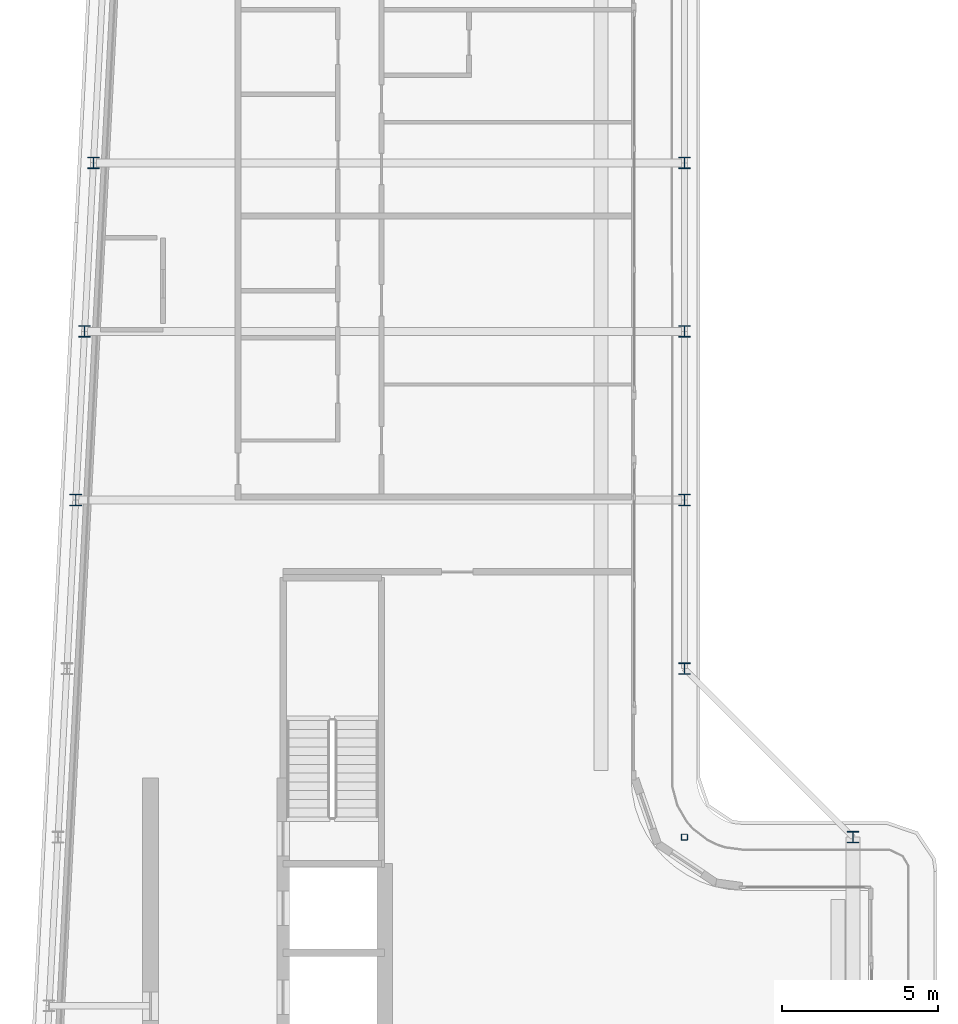
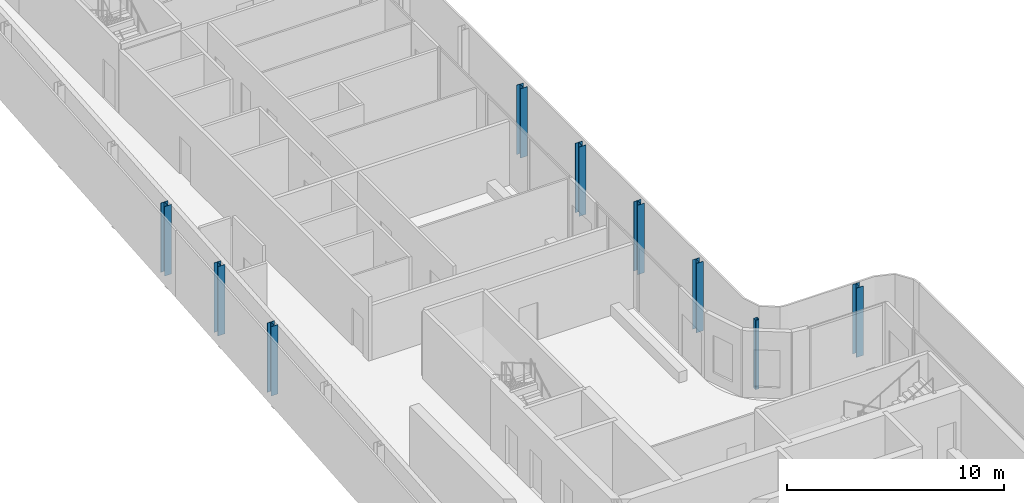
# One storey, part 2 of 18: 9 columns.
"""IFC4 building model written with IfcOpenShell, lengths in metres."""

from ifc_helpers import new_model, si_unit, direction, frame, origin, origin_2d, place, context, subcontext, project, spatial, hollow_rectangle, i_section, extrude, material, material_profile, profile_set, type_object, element, save


model = new_model("IFC4")

# Units and contexts
model_context = context("Model", 3, precision=1e-05, world=origin(), true_north=direction((0.0, 1.0)))
body_context = subcontext(model_context, "Body", "Model", "MODEL_VIEW")
ifc_project = project(units=[si_unit("LENGTHUNIT", "METRE"), si_unit("AREAUNIT", "SQUARE_METRE"), si_unit("VOLUMEUNIT", "CUBIC_METRE"), si_unit("PLANEANGLEUNIT", "RADIAN"), si_unit("MASSUNIT", "GRAM", prefix="KILO")], contexts=[model_context])

# Site, building, storey
site_placement = place(None, origin())
site = spatial("IfcSite", under=ifc_project, at=site_placement, CompositionType="ELEMENT")
building_placement = place(site_placement, origin())
building = spatial("IfcBuilding", under=site, at=building_placement, Name="Kheshtan School and Residences Tower", CompositionType="ELEMENT")
storey_placement = place(building_placement, frame((0.0, 0.0, 361.699951171875)))
storey = spatial("IfcBuildingStorey", under=building, at=storey_placement, Name="L85", CompositionType="ELEMENT", Elevation=361.699951171875)

# Columns
ifc_material_1 = material(Name="Steel ASTM A992 Grade 50", Category="steel")
ifc_material_profile_1 = material_profile(ifc_material_1, i_section(OverallWidth=0.37109375, OverallDepth=0.364013671875, WebThickness=0.01318359375, FlangeThickness=0.021728515625, FilletRadius=0.010986328125, at=origin_2d()), Name="W360x162")
ifc_profile_set_1 = profile_set([ifc_material_profile_1], Name="Steel ASTM A992 Grade 50")
column_type_1 = type_object("IfcColumnType", Name="Column C6 W360x162 ASTM A992 Grade 50", PredefinedType="COLUMN", material=ifc_profile_set_1)
for number, where, z_axis, x_axis, name in (
    (1, (53.0, 45.60009765625, 0.0), (0.0, 0.0, 1.0), (1.0, 0.0, 0.0), "Column C061"),
    (2, (47.60009765625, 51.0, 0.0), (0.0, 0.0, 1.0), (1.0, 0.0, 0.0), "Column C079"),
    (3, (28.10595703125, 56.39990234375, 0.0), (0.0, 0.0, 1.0), (1.0, 0.0, 0.0), "Column C080"),
    (4, (47.60009765625, 56.39990234375, 0.0), (0.0, 0.0, 1.0), (1.0, 0.0, 0.0), "Column C081"),
    (5, (28.389892578125, 61.800048828125, 0.0), (0.0, 0.0, 1.0), (1.0, 0.0, 0.0), "Column C082"),
    (6, (47.60009765625, 61.800048828125, 0.0), (0.0, 0.0, 1.0), (1.0, 0.0, 0.0), "Column C083"),
    (7, (28.674072265625, 67.199951171875, 0.0), (0.0, 0.0, 1.0), (1.0, 0.0, 0.0), "Column C084"),
    (8, (47.60009765625, 67.199951171875, 0.0), (0.0, 0.0, 1.0), (1.0, 0.0, 0.0), "Column C085"),
):
    element("IfcColumn", number, at=place(storey_placement, frame(where, z_axis=z_axis, x_axis=x_axis)), inside=storey, type_object=column_type_1, Name=name, PredefinedType="COLUMN", context=body_context, shape_type="SweptSolid", body=[
        extrude(i_section(OverallWidth=0.37109375, OverallDepth=0.364013671875, WebThickness=0.01318359375, FlangeThickness=0.021728515625, FilletRadius=0.010986328125, at=origin_2d()), origin(), (0.0, 0.0, 1.0), 3.900146484375),
    ])
ifc_material_2 = material(Name="Steel ASTM A500 Grade C", Category="steel")
ifc_material_profile_2 = material_profile(ifc_material_2, hollow_rectangle(XDim=0.202880859375, YDim=0.202880859375, WallThickness=0.0126953125, InnerFilletRadius=0.0126953125, OuterFilletRadius=0.025390625, at=origin_2d()), Name="HSS 203x203x12.7")
ifc_profile_set_2 = profile_set([ifc_material_profile_2], Name="Steel ASTM A500 Grade C")
column_type_2 = type_object("IfcColumnType", Name="Column IC4 HSS 203x203x12.7 ASTM A500 Grade C", PredefinedType="COLUMN", material=ifc_profile_set_2)
column_placement = place(storey_placement, frame((47.60009765625, 45.60009765625, 0.0), z_axis=(0.0, 0.0, 1.0), x_axis=(1.0, 0.0, 0.0)))
element("IfcColumn", 9, at=column_placement, inside=storey, type_object=column_type_2, Name="Column C060", PredefinedType="COLUMN", context=body_context, shape_type="SweptSolid", body=[
    extrude(hollow_rectangle(XDim=0.202880859375, YDim=0.202880859375, WallThickness=0.0126953125, InnerFilletRadius=0.0126953125, OuterFilletRadius=0.025390625, at=origin_2d()), origin(), (0.0, 0.0, 1.0), 3.900146484375),
])

save(model, "model.ifc")
